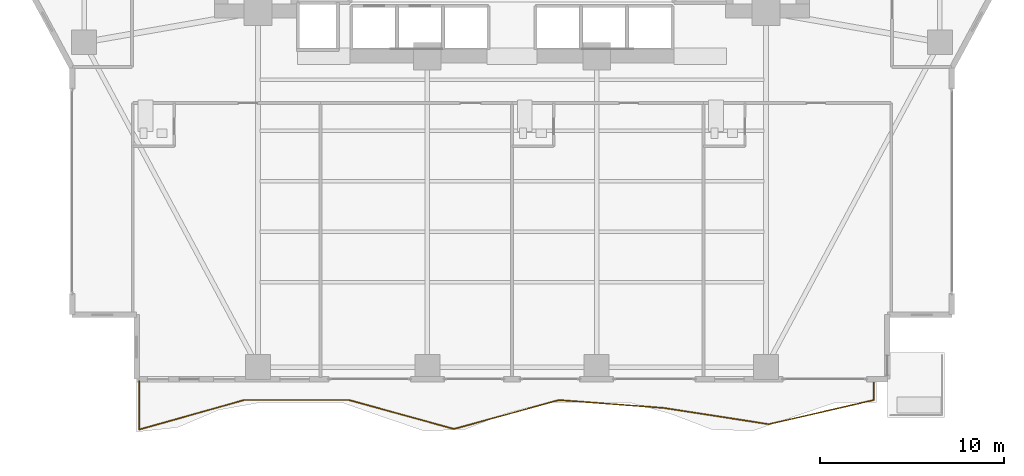
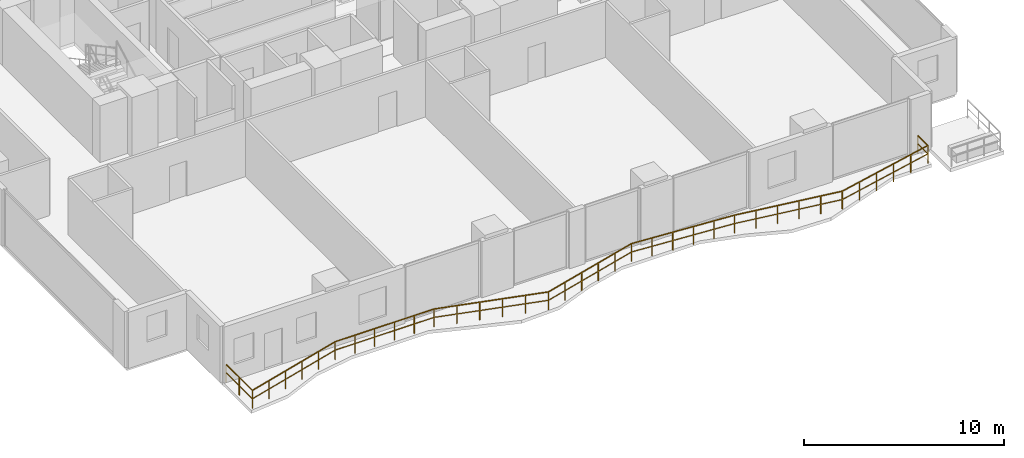
# One storey, part 26 of 30: 1 railing.
"""IFC4 building model written with IfcOpenShell, lengths in metres."""

from ifc_helpers import new_model, si_unit, direction, frame, origin, origin_2d, place, context, subcontext, project, spatial, rectangle, extrude, material, type_object, element, save


model = new_model("IFC4")

# Units and contexts
model_context = context("Model", 3, precision=1e-05, world=origin(), true_north=direction((0.0, 1.0)))
body_context = subcontext(model_context, "Body", "Model", "MODEL_VIEW")
ifc_project = project(units=[si_unit("LENGTHUNIT", "METRE"), si_unit("AREAUNIT", "SQUARE_METRE"), si_unit("VOLUMEUNIT", "CUBIC_METRE"), si_unit("PLANEANGLEUNIT", "RADIAN"), si_unit("MASSUNIT", "GRAM", prefix="KILO")], contexts=[model_context])

# Site, building, storey
site_placement = place(None, origin())
site = spatial("IfcSite", under=ifc_project, at=site_placement, CompositionType="ELEMENT")
building_placement = place(site_placement, origin())
building = spatial("IfcBuilding", under=site, at=building_placement, Name="Zuhayl Quay Hotel", CompositionType="ELEMENT")
storey_placement = place(building_placement, frame((0.0, 0.0, 135.800048828125)))
storey = spatial("IfcBuildingStorey", under=building, at=storey_placement, Name="L34", CompositionType="ELEMENT", Elevation=135.800048828125)

# Railing
ifc_material = material(Name="Anodised Aluminium and Laminated Glass", Category="aluminium")
railing_type = type_object("IfcRailingType", Name="RL_EXT_BAL_1100", PredefinedType="BALUSTRADE", material=ifc_material)
railing_placement = place(storey_placement, frame((-20.260009765625, -15.52001953125, 0.0)))
element("IfcRailing", 1, at=railing_placement, inside=storey, type_object=railing_type, Name="L34 Balcony and Terrace Guard GR_L34_BAL_S", PredefinedType="BALUSTRADE", context=body_context, shape_type="SweptSolid", body=[
    extrude(rectangle(XDim=0.048095703125, YDim=0.048095703125, at=origin_2d()), frame((0.0, 0.0, 1.09619140625), z_axis=(0.0, -1.0, 0.0), x_axis=(1.0, 0.0, 0.0)), (0.0, 0.0, 1.0), 2.625),
    extrude(rectangle(XDim=0.0361328125, YDim=0.0361328125, at=origin_2d()), frame((0.0, 0.0, 0.58251953125), z_axis=(0.0, -1.0, 0.0), x_axis=(1.0, 0.0, 0.0)), (0.0, 0.0, 1.0), 2.625),
    extrude(rectangle(XDim=0.048095703125, YDim=0.048095703125, at=origin_2d()), frame((0.0, -2.625, 1.09619140625), z_axis=(0.962604943552, 0.270909067122, 0.0), x_axis=(-0.270909067122, 0.962604943552, 0.0)), (0.0, 0.0, 1.0), 5.92431640625),
    extrude(rectangle(XDim=0.0361328125, YDim=0.0361328125, at=origin_2d()), frame((0.0, -2.625, 0.58251953125), z_axis=(0.962604943552, 0.270909067122, 0.0), x_axis=(-0.270909067122, 0.962604943552, 0.0)), (0.0, 0.0, 1.0), 5.92431640625),
    extrude(rectangle(XDim=0.048095703125, YDim=0.048095703125, at=origin_2d()), frame((5.702880859375, -1.02001953125, 1.09619140625), z_axis=(1.0, 0.0, 0.0), x_axis=(0.0, 1.0, 0.0)), (0.0, 0.0, 1.0), 5.702880859375),
    extrude(rectangle(XDim=0.0361328125, YDim=0.0361328125, at=origin_2d()), frame((5.702880859375, -1.02001953125, 0.58251953125), z_axis=(1.0, 0.0, 0.0), x_axis=(0.0, 1.0, 0.0)), (0.0, 0.0, 1.0), 5.702880859375),
    extrude(rectangle(XDim=0.048095703125, YDim=0.048095703125, at=origin_2d()), frame((11.40576171875, -1.02001953125, 1.09619140625), z_axis=(0.964086322302, -0.265589087033, 0.0), x_axis=(0.265589087033, 0.964086322302, 0.0)), (0.0, 0.0, 1.0), 5.915283203125),
    extrude(rectangle(XDim=0.0361328125, YDim=0.0361328125, at=origin_2d()), frame((11.40576171875, -1.02001953125, 0.58251953125), z_axis=(0.964086322302, -0.265589087033, 0.0), x_axis=(0.265589087033, 0.964086322302, 0.0)), (0.0, 0.0, 1.0), 5.915283203125),
    extrude(rectangle(XDim=0.048095703125, YDim=0.048095703125, at=origin_2d()), frame((17.108642578125, -2.591064453125, 1.09619140625), z_axis=(0.964086322302, 0.265589087033, 0.0), x_axis=(-0.265589087033, 0.964086322302, 0.0)), (0.0, 0.0, 1.0), 5.915283203125),
    extrude(rectangle(XDim=0.0361328125, YDim=0.0361328125, at=origin_2d()), frame((17.108642578125, -2.591064453125, 0.58251953125), z_axis=(0.964086322302, 0.265589087033, 0.0), x_axis=(-0.265589087033, 0.964086322302, 0.0)), (0.0, 0.0, 1.0), 5.915283203125),
    extrude(rectangle(XDim=0.048095703125, YDim=0.048095703125, at=origin_2d()), frame((22.8115234375, -1.02001953125, 1.09619140625), z_axis=(0.997176739415, -0.07509028146, 0.0), x_axis=(0.07509028146, 0.997176739415, 0.0)), (0.0, 0.0, 1.0), 5.718994140625),
    extrude(rectangle(XDim=0.0361328125, YDim=0.0361328125, at=origin_2d()), frame((22.8115234375, -1.02001953125, 0.58251953125), z_axis=(0.997176739415, -0.07509028146, 0.0), x_axis=(0.07509028146, 0.997176739415, 0.0)), (0.0, 0.0, 1.0), 5.718994140625),
    extrude(rectangle(XDim=0.048095703125, YDim=0.048095703125, at=origin_2d()), frame((28.514404296875, -1.449462890625, 1.09619140625), z_axis=(0.988215645979, -0.153068079765, 0.0), x_axis=(0.153068079765, 0.988215645979, 0.0)), (0.0, 0.0, 1.0), 5.770751953125),
    extrude(rectangle(XDim=0.0361328125, YDim=0.0361328125, at=origin_2d()), frame((28.514404296875, -1.449462890625, 0.58251953125), z_axis=(0.988215645979, -0.153068079765, 0.0), x_axis=(0.153068079765, 0.988215645979, 0.0)), (0.0, 0.0, 1.0), 5.770751953125),
    extrude(rectangle(XDim=0.048095703125, YDim=0.048095703125, at=origin_2d()), frame((34.217041015625, -2.332763671875, 1.09619140625), z_axis=(0.974514798959, 0.224323219059, 0.0), x_axis=(-0.224323219059, 0.974514798959, 0.0)), (0.0, 0.0, 1.0), 5.85205078125),
    extrude(rectangle(XDim=0.0361328125, YDim=0.0361328125, at=origin_2d()), frame((34.217041015625, -2.332763671875, 0.58251953125), z_axis=(0.974514798959, 0.224323219059, 0.0), x_axis=(-0.224323219059, 0.974514798959, 0.0)), (0.0, 0.0, 1.0), 5.85205078125),
    extrude(rectangle(XDim=0.048095703125, YDim=0.048095703125, at=origin_2d()), frame((39.919921875, -1.02001953125, 1.09619140625), z_axis=(0.0, 1.0, 0.0), x_axis=(-1.0, 0.0, 0.0)), (0.0, 0.0, 1.0), 1.02001953125),
    extrude(rectangle(XDim=0.0361328125, YDim=0.0361328125, at=origin_2d()), frame((39.919921875, -1.02001953125, 0.58251953125), z_axis=(0.0, 1.0, 0.0), x_axis=(-1.0, 0.0, 0.0)), (0.0, 0.0, 1.0), 1.02001953125),
    extrude(rectangle(XDim=0.0419921875, YDim=0.0419921875, at=origin_2d()), origin(), (0.0, 0.0, 1.0), 1.072021484375),
    extrude(rectangle(XDim=0.0419921875, YDim=0.0419921875, at=origin_2d()), frame((0.0, -1.3125, 0.0)), (0.0, 0.0, 1.0), 1.072021484375),
    extrude(rectangle(XDim=0.0419921875, YDim=0.0419921875, at=origin_2d()), frame((0.0, -2.625, 0.0)), (0.0, 0.0, 1.0), 1.072021484375),
    extrude(rectangle(XDim=0.0419921875, YDim=0.0419921875, at=origin_2d()), frame((1.140625, -2.303955078125, 0.0)), (0.0, 0.0, 1.0), 1.072021484375),
    extrude(rectangle(XDim=0.0419921875, YDim=0.0419921875, at=origin_2d()), frame((2.28125, -1.98291015625, 0.0)), (0.0, 0.0, 1.0), 1.072021484375),
    extrude(rectangle(XDim=0.0419921875, YDim=0.0419921875, at=origin_2d()), frame((3.421630859375, -1.662109375, 0.0)), (0.0, 0.0, 1.0), 1.072021484375),
    extrude(rectangle(XDim=0.0419921875, YDim=0.0419921875, at=origin_2d()), frame((4.562255859375, -1.341064453125, 0.0)), (0.0, 0.0, 1.0), 1.072021484375),
    extrude(rectangle(XDim=0.0419921875, YDim=0.0419921875, at=origin_2d()), frame((5.702880859375, -1.02001953125, 0.0)), (0.0, 0.0, 1.0), 1.072021484375),
    extrude(rectangle(XDim=0.0419921875, YDim=0.0419921875, at=origin_2d()), frame((6.843505859375, -1.02001953125, 0.0)), (0.0, 0.0, 1.0), 1.072021484375),
    extrude(rectangle(XDim=0.0419921875, YDim=0.0419921875, at=origin_2d()), frame((7.984130859375, -1.02001953125, 0.0)), (0.0, 0.0, 1.0), 1.072021484375),
    extrude(rectangle(XDim=0.0419921875, YDim=0.0419921875, at=origin_2d()), frame((9.12451171875, -1.02001953125, 0.0)), (0.0, 0.0, 1.0), 1.072021484375),
    extrude(rectangle(XDim=0.0419921875, YDim=0.0419921875, at=origin_2d()), frame((10.26513671875, -1.02001953125, 0.0)), (0.0, 0.0, 1.0), 1.072021484375),
    extrude(rectangle(XDim=0.0419921875, YDim=0.0419921875, at=origin_2d()), frame((11.40576171875, -1.02001953125, 0.0)), (0.0, 0.0, 1.0), 1.072021484375),
    extrude(rectangle(XDim=0.0419921875, YDim=0.0419921875, at=origin_2d()), frame((12.54638671875, -1.334228515625, 0.0)), (0.0, 0.0, 1.0), 1.072021484375),
    extrude(rectangle(XDim=0.0419921875, YDim=0.0419921875, at=origin_2d()), frame((13.68701171875, -1.6484375, 0.0)), (0.0, 0.0, 1.0), 1.072021484375),
    extrude(rectangle(XDim=0.0419921875, YDim=0.0419921875, at=origin_2d()), frame((14.827392578125, -1.962646484375, 0.0)), (0.0, 0.0, 1.0), 1.072021484375),
    extrude(rectangle(XDim=0.0419921875, YDim=0.0419921875, at=origin_2d()), frame((15.968017578125, -2.27685546875, 0.0)), (0.0, 0.0, 1.0), 1.072021484375),
    extrude(rectangle(XDim=0.0419921875, YDim=0.0419921875, at=origin_2d()), frame((17.108642578125, -2.591064453125, 0.0)), (0.0, 0.0, 1.0), 1.072021484375),
    extrude(rectangle(XDim=0.0419921875, YDim=0.0419921875, at=origin_2d()), frame((18.249267578125, -2.27685546875, 0.0)), (0.0, 0.0, 1.0), 1.072021484375),
    extrude(rectangle(XDim=0.0419921875, YDim=0.0419921875, at=origin_2d()), frame((19.389892578125, -1.962646484375, 0.0)), (0.0, 0.0, 1.0), 1.072021484375),
    extrude(rectangle(XDim=0.0419921875, YDim=0.0419921875, at=origin_2d()), frame((20.5302734375, -1.6484375, 0.0)), (0.0, 0.0, 1.0), 1.072021484375),
    extrude(rectangle(XDim=0.0419921875, YDim=0.0419921875, at=origin_2d()), frame((21.6708984375, -1.334228515625, 0.0)), (0.0, 0.0, 1.0), 1.072021484375),
    extrude(rectangle(XDim=0.0419921875, YDim=0.0419921875, at=origin_2d()), frame((22.8115234375, -1.02001953125, 0.0)), (0.0, 0.0, 1.0), 1.072021484375),
    extrude(rectangle(XDim=0.0419921875, YDim=0.0419921875, at=origin_2d()), frame((23.9521484375, -1.10595703125, 0.0)), (0.0, 0.0, 1.0), 1.072021484375),
    extrude(rectangle(XDim=0.0419921875, YDim=0.0419921875, at=origin_2d()), frame((25.0927734375, -1.19189453125, 0.0)), (0.0, 0.0, 1.0), 1.072021484375),
    extrude(rectangle(XDim=0.0419921875, YDim=0.0419921875, at=origin_2d()), frame((26.233154296875, -1.277587890625, 0.0)), (0.0, 0.0, 1.0), 1.072021484375),
    extrude(rectangle(XDim=0.0419921875, YDim=0.0419921875, at=origin_2d()), frame((27.373779296875, -1.363525390625, 0.0)), (0.0, 0.0, 1.0), 1.072021484375),
    extrude(rectangle(XDim=0.0419921875, YDim=0.0419921875, at=origin_2d()), frame((28.514404296875, -1.449462890625, 0.0)), (0.0, 0.0, 1.0), 1.072021484375),
    extrude(rectangle(XDim=0.0419921875, YDim=0.0419921875, at=origin_2d()), frame((29.655029296875, -1.626220703125, 0.0)), (0.0, 0.0, 1.0), 1.072021484375),
    extrude(rectangle(XDim=0.0419921875, YDim=0.0419921875, at=origin_2d()), frame((30.79541015625, -1.802734375, 0.0)), (0.0, 0.0, 1.0), 1.072021484375),
    extrude(rectangle(XDim=0.0419921875, YDim=0.0419921875, at=origin_2d()), frame((31.93603515625, -1.9794921875, 0.0)), (0.0, 0.0, 1.0), 1.072021484375),
    extrude(rectangle(XDim=0.0419921875, YDim=0.0419921875, at=origin_2d()), frame((33.076416015625, -2.156005859375, 0.0)), (0.0, 0.0, 1.0), 1.072021484375),
    extrude(rectangle(XDim=0.0419921875, YDim=0.0419921875, at=origin_2d()), frame((34.217041015625, -2.332763671875, 0.0)), (0.0, 0.0, 1.0), 1.072021484375),
    extrude(rectangle(XDim=0.0419921875, YDim=0.0419921875, at=origin_2d()), frame((35.357666015625, -2.0703125, 0.0)), (0.0, 0.0, 1.0), 1.072021484375),
    extrude(rectangle(XDim=0.0419921875, YDim=0.0419921875, at=origin_2d()), frame((36.498291015625, -1.8076171875, 0.0)), (0.0, 0.0, 1.0), 1.072021484375),
    extrude(rectangle(XDim=0.0419921875, YDim=0.0419921875, at=origin_2d()), frame((37.638671875, -1.545166015625, 0.0)), (0.0, 0.0, 1.0), 1.072021484375),
    extrude(rectangle(XDim=0.0419921875, YDim=0.0419921875, at=origin_2d()), frame((38.779296875, -1.282470703125, 0.0)), (0.0, 0.0, 1.0), 1.072021484375),
    extrude(rectangle(XDim=0.0419921875, YDim=0.0419921875, at=origin_2d()), frame((39.919921875, -1.02001953125, 0.0)), (0.0, 0.0, 1.0), 1.072021484375),
    extrude(rectangle(XDim=0.0419921875, YDim=0.0419921875, at=origin_2d()), frame((39.919921875, 0.0, 0.0)), (0.0, 0.0, 1.0), 1.072021484375),
])

save(model, "model.ifc")
